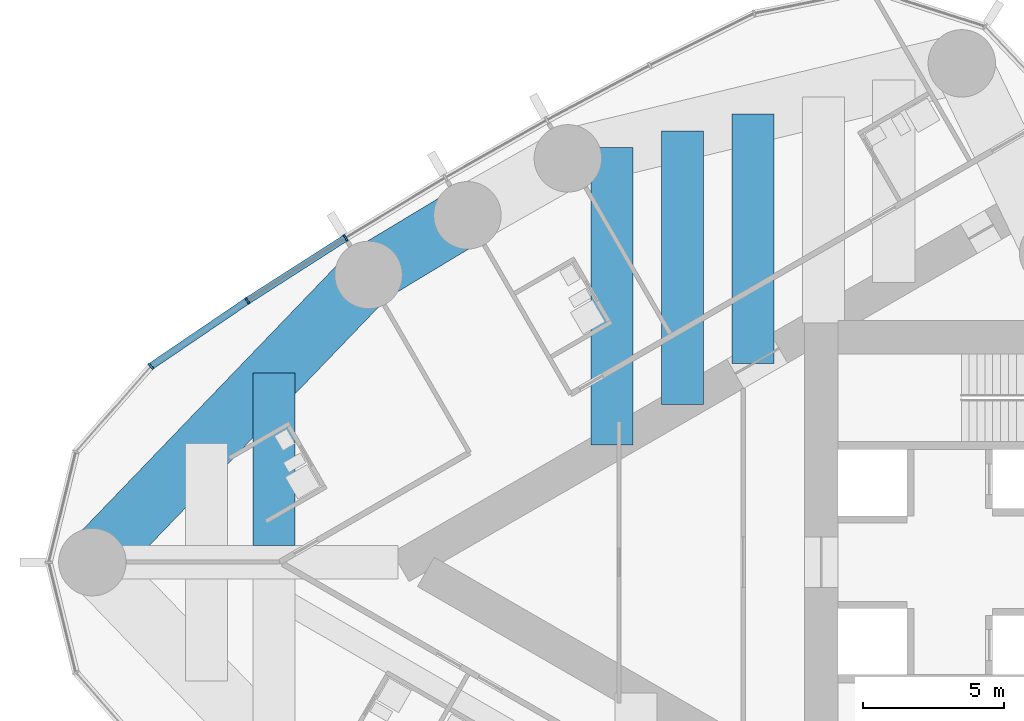
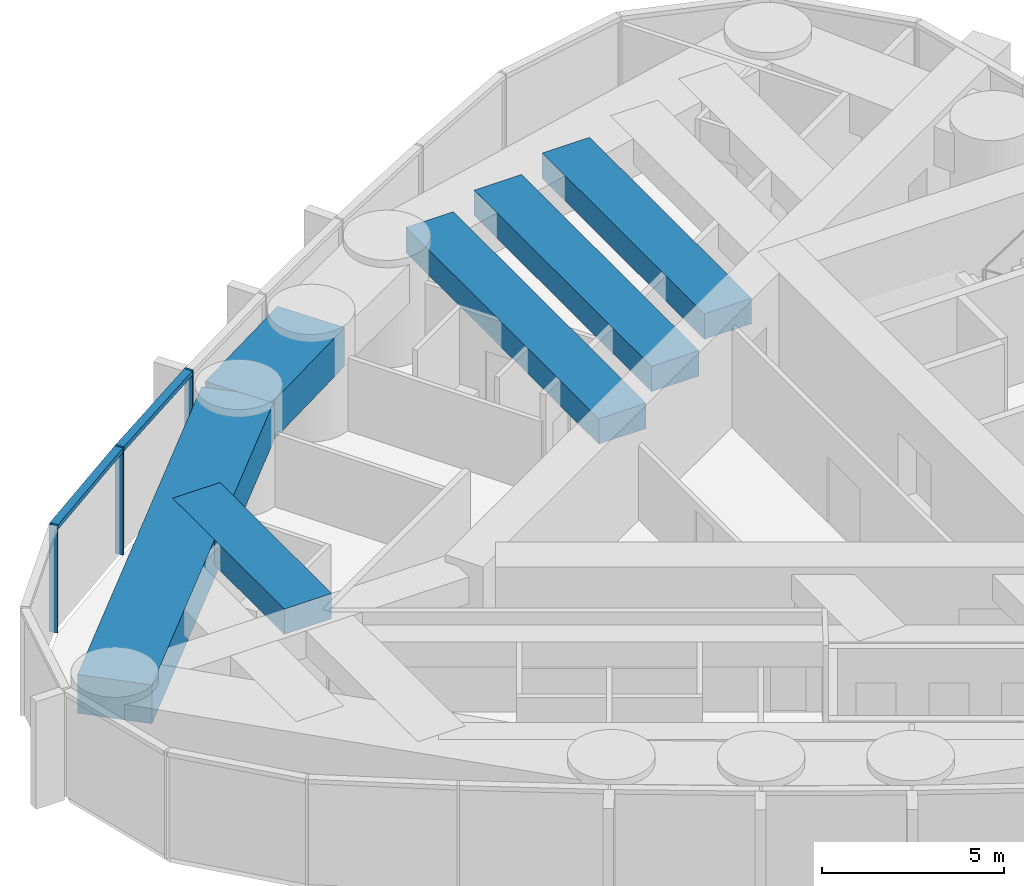
# One storey, part 3 of 22: 6 beams, 5 members, 1 element without a shape of its own.
"""IFC4 building model written with IfcOpenShell, lengths in metres."""

import ifcopenshell
import ifcopenshell.guid

model = None  # the IFC model being written
_history = None  # IfcOwnerHistory: only IFC2X3 demands one
_inside = {}  # id of a spatial element -> (the spatial element, [elements in it])
_under = {}  # id of a project, library or spatial element -> (it, [spatial elements below it])
_declared = {}  # id of a project -> (the project, [libraries it declares])
_typed = {}  # id of a type object -> (the type object, [elements of that type])
_made_of = {}  # id of a material, layer set ... -> (it, [elements and type objects made of it])


def new_model(schema):
    """Start an empty IFC model of exactly this schema.

    Asked for "IFC4X3", IfcOpenShell would pick the latest addendum, in which some entities
    have other attributes; the version numbers below select the first issue.
    IFC2X3 requires an IfcOwnerHistory on every rooted entity: one is made here for all.
    """
    global model, _history
    if schema == "IFC4X3":
        model = ifcopenshell.file(schema_version=(4, 3, 0, 0))
    else:
        model = ifcopenshell.file(schema=schema)
    _inside.clear()
    _under.clear()
    _declared.clear()
    _typed.clear()
    _made_of.clear()
    _history = None
    if model.schema == "IFC2X3":
        org = make("IfcOrganization", Name="unknown")
        user = make(
            "IfcPersonAndOrganization",
            ThePerson=make("IfcPerson", FamilyName="unknown"),
            TheOrganization=org,
        )
        app = make(
            "IfcApplication",
            ApplicationDeveloper=org,
            Version="unknown",
            ApplicationFullName="unknown",
            ApplicationIdentifier="unknown",
        )
        _history = make(
            "IfcOwnerHistory",
            OwningUser=user,
            OwningApplication=app,
            ChangeAction="ADDED",
            CreationDate=0,
        )
    return model


def make(cls, **values):
    """One entity of the class cls with the attributes given. An attribute that is None is left unset."""
    return model.create_entity(
        cls, **{name: value for name, value in values.items() if value is not None}
    )


def rooted(cls, **values):
    """An entity with a GlobalId (a new one), such as an element, a storey or a relation."""
    return make(cls, GlobalId=ifcopenshell.guid.new(), OwnerHistory=_history, **values)


def si_unit(unit_type, name, prefix=None):
    """IfcSIUnit, for example si_unit("LENGTHUNIT", "METRE", prefix="MILLI")."""
    return make("IfcSIUnit", UnitType=unit_type, Prefix=prefix, Name=name)


def assignment(units):
    """IfcUnitAssignment: the units of a project."""
    return None if units is None else make("IfcUnitAssignment", Units=units)


def point(xyz):
    """IfcCartesianPoint."""
    return None if xyz is None else make("IfcCartesianPoint", Coordinates=xyz)


def direction(xyz):
    """IfcDirection."""
    return None if xyz is None else make("IfcDirection", DirectionRatios=xyz)


def frame(location, z_axis=None, x_axis=None):
    """IfcAxis2Placement3D, a coordinate frame: its origin and axes. An axis left out is left unset."""
    return make(
        "IfcAxis2Placement3D",
        Location=point(location),
        Axis=direction(z_axis),
        RefDirection=direction(x_axis),
    )


def frame_2d(location, x_axis=None):
    """IfcAxis2Placement2D, a coordinate frame in the plane: its origin and x axis."""
    return make(
        "IfcAxis2Placement2D", Location=point(location), RefDirection=direction(x_axis)
    )


def origin():
    """The frame at (0, 0, 0) with its axes left unset."""
    return frame((0.0, 0.0, 0.0))


def origin_2d():
    """The frame at (0, 0) in the plane with its x axis left unset."""
    return frame_2d((0.0, 0.0))


def place(relative_to, where):
    """IfcLocalPlacement: puts the frame where relative to a parent placement (None: the world)."""
    return make(
        "IfcLocalPlacement", PlacementRelTo=relative_to, RelativePlacement=where
    )


def context(
    kind, dimensions, precision=None, world=None, true_north=None, identifier=None
):
    """IfcGeometricRepresentationContext, for example the 3D "Model" context."""
    return make(
        "IfcGeometricRepresentationContext",
        ContextIdentifier=identifier,
        ContextType=kind,
        CoordinateSpaceDimension=dimensions,
        Precision=precision,
        WorldCoordinateSystem=world,
        TrueNorth=true_north,
    )


def subcontext(parent, identifier, kind, view, scale=None):
    """IfcGeometricRepresentationSubContext, for example "Body" below "Model"."""
    return make(
        "IfcGeometricRepresentationSubContext",
        ContextIdentifier=identifier,
        ContextType=kind,
        ParentContext=parent,
        TargetScale=scale,
        TargetView=view,
    )


def project(units=None, contexts=None):
    """IfcProject with its units and contexts."""
    return rooted(
        "IfcProject",
        Name="project",
        RepresentationContexts=contexts,
        UnitsInContext=assignment(units),
    )


def spatial(cls, under=None, at=None, **own):
    """A site, building, storey or space (cls), placed at a placement, below another one or the project."""
    s = rooted(cls, ObjectPlacement=at, **own)
    if under is not None:
        _under.setdefault(under.id(), (under, []))[1].append(s)
    return s


def profile(cls, at=None, kind="AREA", **sizes):
    """A parametric profile (cls). Its sizes go by their IFC names, for example OverallWidth=200.0."""
    return make(cls, ProfileType=kind, Position=at, **sizes)


def rectangle(**sizes):
    """IfcRectangleProfileDef."""
    return profile("IfcRectangleProfileDef", **sizes)


def extrude(swept, where, along, depth):
    """IfcExtrudedAreaSolid: the profile swept, set in the frame where, extruded along a direction by depth."""
    return make(
        "IfcExtrudedAreaSolid",
        SweptArea=swept,
        Position=where,
        ExtrudedDirection=direction(along),
        Depth=depth,
    )


def shape(context_of_items, identifier, shape_type, items):
    """IfcShapeRepresentation: the items that make up one representation, for example the "Body"."""
    return make(
        "IfcShapeRepresentation",
        ContextOfItems=context_of_items,
        RepresentationIdentifier=identifier,
        RepresentationType=shape_type,
        Items=items,
    )


def material(Name=None, Category=None):
    """IfcMaterial."""
    return make("IfcMaterial", Name=Name, Category=Category)


def material_profile(
    of_material, cross_section, Name=None, Category=None, Priority=None
):
    """IfcMaterialProfile: a cross section and its material."""
    return make(
        "IfcMaterialProfile",
        Name=Name,
        Material=of_material,
        Profile=cross_section,
        Priority=Priority,
        Category=Category,
    )


def profile_set(profiles, Name=None, composite=None):
    """IfcMaterialProfileSet."""
    return make(
        "IfcMaterialProfileSet",
        Name=Name,
        MaterialProfiles=profiles,
        CompositeProfile=composite,
    )


def made_of(thing, what):
    """Note that an element or type object is made of a material, layer set ...; save() writes the relation."""
    if what is not None:
        _made_of.setdefault(what.id(), (what, []))[1].append(thing)
    return thing


def type_object(cls, material=None, **own):
    """A type object (cls), such as IfcWallType, which elements share."""
    return made_of(rooted(cls, **own), material)


def element(
    cls,
    number,
    at=None,
    inside=None,
    cuts=None,
    type_object=None,
    material=None,
    context=None,
    identifier="Body",
    shape_type=None,
    held_by="IfcProductDefinitionShape",
    body=None,
    shapes=None,
    **own,
):
    """One element of the class cls, such as IfcWall. Its Tag is "e" and its number.

    at: its placement. inside: the storey or other place that contains it. cuts: it is an
    opening in that element (IfcRelVoidsElement). A single representation is given by context,
    identifier, shape_type and body (its items); several are given by shapes. held_by: the class
    of the entity that holds the representations. save() writes the other relations.
    """
    e = rooted(cls, Tag="e%d" % number, ObjectPlacement=at, **own)
    if body is not None:
        shapes = [shape(context, identifier, shape_type, body)]
    if shapes is not None:
        e.Representation = make(held_by, Representations=shapes)
    if inside is not None:
        _inside.setdefault(inside.id(), (inside, []))[1].append(e)
    if cuts is not None:
        rooted(
            "IfcRelVoidsElement", RelatingBuildingElement=cuts, RelatedOpeningElement=e
        )
    if type_object is not None:
        _typed.setdefault(type_object.id(), (type_object, []))[1].append(e)
    return made_of(e, material)


def aggregate(whole, parts):
    """IfcRelAggregates: a whole, such as a stair, and the parts it consists of."""
    return rooted("IfcRelAggregates", RelatingObject=whole, RelatedObjects=parts)


def save(model, path):
    """Write the relations noted so far, then the file.

    IfcRelAggregates (storeys below a building ...), IfcRelContainedInSpatialStructure (elements
    in a storey), IfcRelDefinesByType, IfcRelAssociatesMaterial and IfcRelDeclares: one each for
    every whole, place, type object, material and project.
    """
    for whole, parts in _under.values():
        aggregate(whole, parts)
    for where, things in _inside.values():
        rooted(
            "IfcRelContainedInSpatialStructure",
            RelatedElements=things,
            RelatingStructure=where,
        )
    for kind, things in _typed.values():
        rooted("IfcRelDefinesByType", RelatedObjects=things, RelatingType=kind)
    for what, things in _made_of.values():
        rooted("IfcRelAssociatesMaterial", RelatedObjects=things, RelatingMaterial=what)
    for by, libraries in _declared.values():
        rooted("IfcRelDeclares", RelatingContext=by, RelatedDefinitions=libraries)
    model.write(path)


model = new_model("IFC4")

# Units and contexts
model_context = context("Model", 3, precision=1e-05, world=origin(), true_north=direction((0.0, 1.0)))
body_context = subcontext(model_context, "Body", "Model", "MODEL_VIEW")
ifc_project = project(units=[si_unit("LENGTHUNIT", "METRE"), si_unit("AREAUNIT", "SQUARE_METRE"), si_unit("VOLUMEUNIT", "CUBIC_METRE"), si_unit("PLANEANGLEUNIT", "RADIAN"), si_unit("MASSUNIT", "GRAM", prefix="KILO")], contexts=[model_context])

# Site, building, storey
site_placement = place(None, origin())
site = spatial("IfcSite", under=ifc_project, at=site_placement, CompositionType="ELEMENT")
building_placement = place(site_placement, origin())
building = spatial("IfcBuilding", under=site, at=building_placement, Name="Lancet Gate Hotel", CompositionType="ELEMENT")
storey_placement = place(building_placement, frame((0.0, 0.0, 233.300048828125)))
storey = spatial("IfcBuildingStorey", under=building, at=storey_placement, Name="L62", CompositionType="ELEMENT", Elevation=233.300048828125)

# Curtain wall, members
ifc_material_1 = material(Name="Aluminium curtain wall", Category="aluminium")
curtain_wall_type = type_object("IfcCurtainWallType", Name="Tower unitised curtain wall", PredefinedType="USERDEFINED", material=ifc_material_1)
curtain_wall_placement = place(storey_placement, origin())
curtain_wall = element("IfcCurtainWall", 1, at=curtain_wall_placement, inside=storey, type_object=curtain_wall_type, Name="T1 L62 curtain wall 1", ObjectType="UNITISED CURTAIN WALL", PredefinedType="USERDEFINED")
ifc_material_2 = material(Name="Aluminium mullion", Category="aluminium")
ifc_material_profile_1 = material_profile(ifc_material_2, rectangle(XDim=0.06494140625, YDim=0.25, at=origin_2d()), Name="MULLION 65x250")
ifc_profile_set_1 = profile_set([ifc_material_profile_1], Name="Aluminium mullion")
member_type_1 = type_object("IfcMemberType", Name="Aluminium mullion 65x250", PredefinedType="MULLION", material=ifc_profile_set_1)
member_1_placement = place(storey_placement, frame((-54.225830078125, 11.535400390625, 0.0), z_axis=(0.0, 0.0, 1.0), x_axis=(-0.849342388216, -0.527842313176, 0.0)))
member_1 = element("IfcMember", 2, at=member_1_placement, type_object=member_type_1, Name="T1 L62 curtain wall 1 mullion 9", PredefinedType="MULLION", context=body_context, shape_type="SweptSolid", body=[
    extrude(rectangle(XDim=0.06494140625, YDim=0.25, at=origin_2d()), origin(), (0.0, 0.0, 1.0), 3.599853515625),
])
member_2_placement = place(storey_placement, frame((-57.72021484375, 9.298095703125, 0.0), z_axis=(0.0, 0.0, 1.0), x_axis=(-0.834827178542, -0.550512108829, 0.0)))
member_2 = element("IfcMember", 3, at=member_2_placement, type_object=member_type_1, Name="T1 L62 curtain wall 1 mullion 10", PredefinedType="MULLION", context=body_context, shape_type="SweptSolid", body=[
    extrude(rectangle(XDim=0.06494140625, YDim=0.25, at=origin_2d()), origin(), (0.0, 0.0, 1.0), 3.599853515625),
])
member_3_placement = place(storey_placement, frame((-61.15283203125, 6.967529296875, 0.0), z_axis=(0.0, 0.0, 1.0), x_axis=(-0.750715604757, -0.660625522345, 0.0)))
member_3 = element("IfcMember", 4, at=member_3_placement, type_object=member_type_1, Name="T1 L62 curtain wall 1 mullion 11", PredefinedType="MULLION", context=body_context, shape_type="SweptSolid", body=[
    extrude(rectangle(XDim=0.06494140625, YDim=0.25, at=origin_2d()), origin(), (0.0, 0.0, 1.0), 3.599853515625),
])
ifc_material_3 = material(Name="Aluminium transom", Category="aluminium")
ifc_material_profile_2 = material_profile(ifc_material_3, rectangle(XDim=0.25, YDim=0.14990234375, at=origin_2d()), Name="TRANSOM 250x150")
ifc_profile_set_2 = profile_set([ifc_material_profile_2], Name="Aluminium transom")
member_type_2 = type_object("IfcMemberType", Name="Aluminium transom 250x150", PredefinedType="USERDEFINED", material=ifc_profile_set_2)
member_4_placement = place(storey_placement, frame((-54.253173828125, 11.51806640625, 3.52490234375), z_axis=(-0.842144358733, -0.539252147937, 0.0), x_axis=(0.539252147937, -0.842144358733, 0.0)))
member_4 = element("IfcMember", 5, at=member_4_placement, type_object=member_type_2, Name="T1 L62 curtain wall 1 transom 9", ObjectType="TRANSOM", PredefinedType="USERDEFINED", context=body_context, shape_type="SweptSolid", body=[
    extrude(rectangle(XDim=0.25, YDim=0.14990234375, at=origin_2d()), origin(), (0.0, 0.0, 1.0), 4.084228515625),
])
member_5_placement = place(storey_placement, frame((-57.7470703125, 9.27978515625, 3.52490234375), z_axis=(-0.827348780456, -0.561688521761, 0.0), x_axis=(0.561688521761, -0.827348780456, 0.0)))
member_5 = element("IfcMember", 6, at=member_5_placement, type_object=member_type_2, Name="T1 L62 curtain wall 1 transom 10", ObjectType="TRANSOM", PredefinedType="USERDEFINED", context=body_context, shape_type="SweptSolid", body=[
    extrude(rectangle(XDim=0.25, YDim=0.14990234375, at=origin_2d()), origin(), (0.0, 0.0, 1.0), 4.083984375),
])
aggregate(curtain_wall, [member_1, member_2, member_3, member_4, member_5])

# Beams
ifc_material_4 = material(Name="Concrete C50/60", Category="concrete")
ifc_material_profile_3 = material_profile(ifc_material_4, rectangle(XDim=2.10009765625, YDim=1.300048828125, at=origin_2d()), Name="RC 2100x1300")
ifc_profile_set_3 = profile_set([ifc_material_profile_3], Name="Concrete C50/60")
beam_type_1 = type_object("IfcBeamType", Name="Edge beam RC 2100x1300", PredefinedType="SPANDREL", material=ifc_profile_set_3)
beam_1_placement = place(storey_placement, frame((-49.89013671875, 12.340087890625, 2.699951171875), z_axis=(-0.856358061538, -0.516382484636, 0.0), x_axis=(0.516382484636, -0.856358061538, 0.0)))
element("IfcBeam", 7, at=beam_1_placement, inside=storey, type_object=beam_type_1, Name="T1 edge beam EB1 L62", PredefinedType="SPANDREL", context=body_context, shape_type="SweptSolid", body=[
    extrude(rectangle(XDim=2.10009765625, YDim=1.300048828125, at=origin_2d()), origin(), (0.0, 0.0, 1.0), 4.107666015625),
])
beam_2_placement = place(storey_placement, frame((-53.40771484375, 10.218994140625, 2.699951171875), z_axis=(-0.693134527053, -0.720808245934, 0.0), x_axis=(0.720808245934, -0.693134527053, 0.0)))
element("IfcBeam", 8, at=beam_2_placement, inside=storey, type_object=beam_type_1, Name="T1 edge beam EB1 L62", PredefinedType="SPANDREL", context=body_context, shape_type="SweptSolid", body=[
    extrude(rectangle(XDim=2.10009765625, YDim=1.300048828125, at=origin_2d()), origin(), (0.0, 0.0, 1.0), 14.17724609375),
])
ifc_material_5 = material(Name="Concrete C50/60", Category="concrete")
ifc_material_profile_4 = material_profile(ifc_material_5, rectangle(XDim=1.5, YDim=0.85009765625, at=origin_2d()), Name="RC 1500x850")
ifc_profile_set_4 = profile_set([ifc_material_profile_4], Name="Concrete C50/60")
beam_type_2 = type_object("IfcBeamType", Name="Floor beam RC 1500x850", PredefinedType="BEAM", material=ifc_profile_set_4)
beam_3_placement = place(storey_placement, frame((-39.734130859375, 15.952880859375, 2.925048828125), z_axis=(0.0, -1.0, 0.0), x_axis=(1.0, 0.0, 0.0)))
element("IfcBeam", 9, at=beam_3_placement, inside=storey, type_object=beam_type_2, Name="T1 floor beam F05S L62", PredefinedType="BEAM", context=body_context, shape_type="SweptSolid", body=[
    extrude(rectangle(XDim=1.5, YDim=0.85009765625, at=origin_2d()), origin(), (0.0, 0.0, 1.0), 8.889404296875),
])
beam_4_placement = place(storey_placement, frame((-42.240966796875, 15.348388671875, 2.925048828125), z_axis=(0.0, -1.0, 0.0), x_axis=(1.0, 0.0, 0.0)))
element("IfcBeam", 10, at=beam_4_placement, inside=storey, type_object=beam_type_2, Name="T1 floor beam F06S L62", PredefinedType="BEAM", context=body_context, shape_type="SweptSolid", body=[
    extrude(rectangle(XDim=1.5, YDim=0.85009765625, at=origin_2d()), origin(), (0.0, 0.0, 1.0), 9.732421875),
])
beam_5_placement = place(storey_placement, frame((-44.747802734375, 14.743896484375, 2.925048828125), z_axis=(0.0, -1.0, 0.0), x_axis=(1.0, 0.0, 0.0)))
element("IfcBeam", 11, at=beam_5_placement, inside=storey, type_object=beam_type_2, Name="T1 floor beam F08S L62", PredefinedType="BEAM", context=body_context, shape_type="SweptSolid", body=[
    extrude(rectangle(XDim=1.5, YDim=0.85009765625, at=origin_2d()), origin(), (0.0, 0.0, 1.0), 10.5751953125),
])
beam_6_placement = place(storey_placement, frame((-56.768310546875, 6.72412109375, 2.925048828125), z_axis=(0.0, -1.0, 0.0), x_axis=(1.0, 0.0, 0.0)))
element("IfcBeam", 12, at=beam_6_placement, inside=storey, type_object=beam_type_2, Name="T1 floor beam F09S L62", PredefinedType="BEAM", context=body_context, shape_type="SweptSolid", body=[
    extrude(rectangle(XDim=1.5, YDim=0.85009765625, at=origin_2d()), origin(), (0.0, 0.0, 1.0), 6.1240234375),
])

save(model, "model.ifc")
